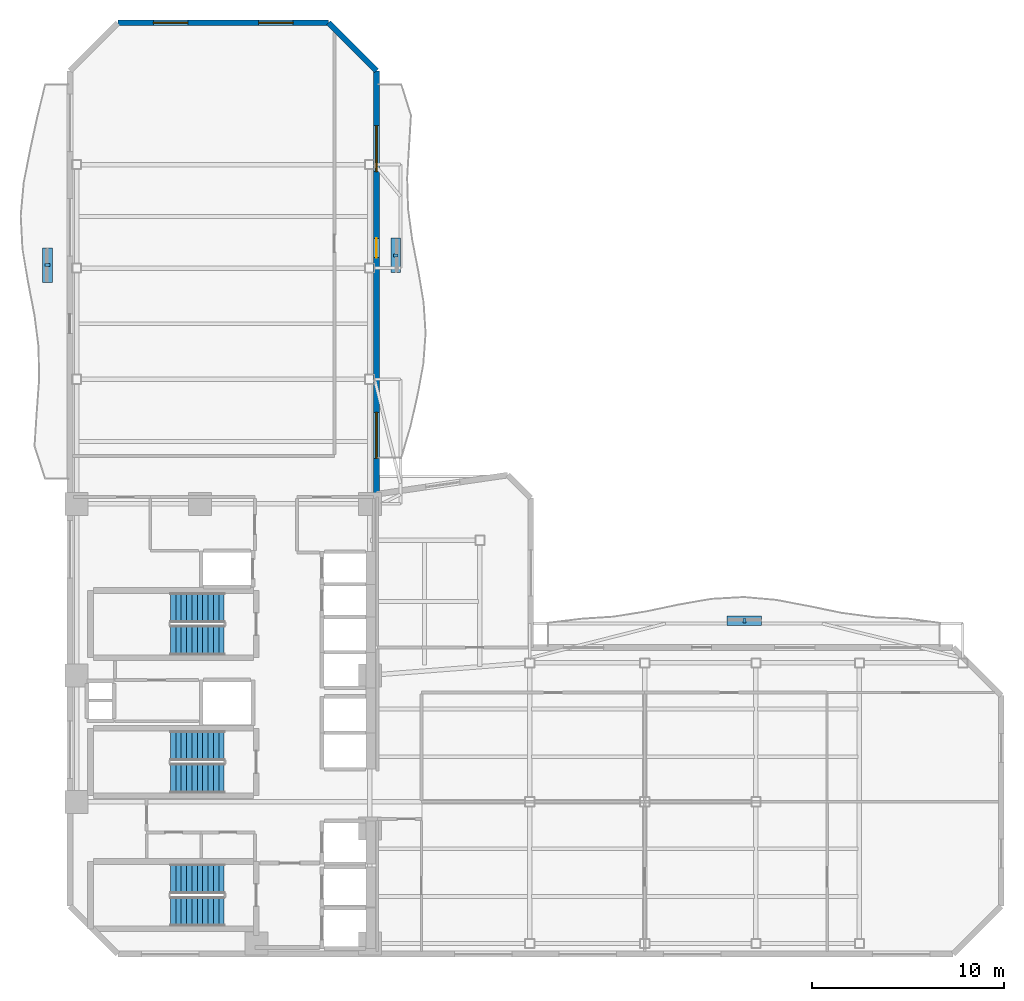
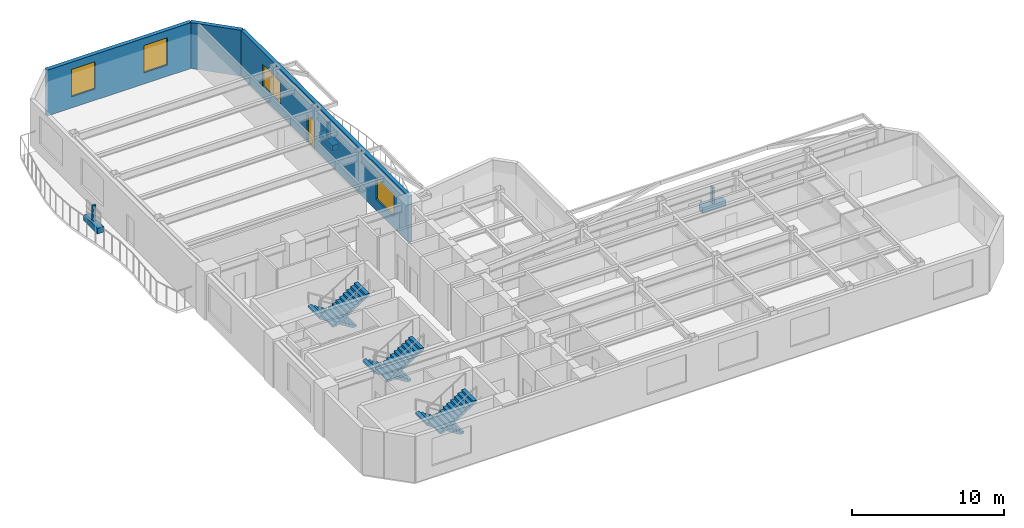
# One storey, part 6 of 9: 6 discrete accessories, 6 stair flights, 4 windows, 3 walls, 1 door, 5 openings, 3 elements without a shape of their own.
"""IFC4 building model written with IfcOpenShell, lengths in metres."""

from ifc_helpers import new_model, si_unit, direction, frame, frame_2d, origin, origin_2d, place, context, subcontext, project, spatial, polyline, rectangle, outline, extrude, material, layer, layer_set, type_object, element, fill, aggregate, save


model = new_model("IFC4")

# Units and contexts
model_context = context("Model", 3, precision=1e-05, world=origin(), true_north=direction((0.0, 1.0)))
body_context = subcontext(model_context, "Body", "Model", "MODEL_VIEW")
ifc_project = project(units=[si_unit("LENGTHUNIT", "METRE"), si_unit("AREAUNIT", "SQUARE_METRE"), si_unit("VOLUMEUNIT", "CUBIC_METRE"), si_unit("PLANEANGLEUNIT", "RADIAN"), si_unit("MASSUNIT", "GRAM", prefix="KILO")], contexts=[model_context])

# Site, building, storey
site_placement = place(None, origin())
site = spatial("IfcSite", under=ifc_project, at=site_placement, CompositionType="ELEMENT")
building_placement = place(site_placement, origin())
building = spatial("IfcBuilding", under=site, at=building_placement, Name="Mawjaban Terraces University", CompositionType="ELEMENT")
storey_placement = place(building_placement, frame((0.0, 0.0, 146.300048828125)))
storey = spatial("IfcBuildingStorey", under=building, at=storey_placement, Name="L35", CompositionType="ELEMENT", Elevation=146.300048828125)

# Wall, openings, door, windows
ifc_material_1 = material(Name="Insulated terracotta rainscreen on concrete backup C40/50", Category="masonry")
ifc_layer = layer(ifc_material_1, 0.300048828125)
ifc_layer_set = layer_set([ifc_layer], Name="Insulated terracotta rainscreen on concrete backup C40/50")
wall_type = type_object("IfcWallType", Name="ExtTerracottaWall_300", PredefinedType="SOLIDWALL", material=ifc_layer_set)
wall_1_placement = place(storey_placement, frame((38.0, 24.0, 0.0), z_axis=(0.0, 0.0, 1.0), x_axis=(0.0, 1.0, 0.0)))
wall_1 = element("IfcWall", 1, at=wall_1_placement, inside=storey, type_object=wall_type, Name="L35 Exterior Terracotta Wall 9", PredefinedType="SOLIDWALL", context=body_context, shape_type="SweptSolid", body=[
    extrude(rectangle(XDim=22.10009765625, YDim=0.300048828125, at=frame_2d((11.050048828125, 0.0))), origin(), (0.0, 0.0, 1.0), 3.68994140625),
])
opening_1_placement = place(wall_1_placement, frame((12.35009765625, 0.0, 0.0)))
opening_1 = element("IfcOpeningElement", 2, at=opening_1_placement, cuts=wall_1, Name="Opening BD-100", PredefinedType="OPENING", context=body_context, shape_type="SweptSolid", body=[
    extrude(rectangle(XDim=1.0, YDim=2.199951171875, at=frame_2d((0.5, 1.10009765625))), frame((0.0, 0.159912109375, 0.0), z_axis=(0.0, -1.0, 0.0), x_axis=(1.0, 0.0, 0.0)), (0.0, 0.0, 1.0), 0.320068359375),
])
opening_2_placement = place(wall_1_placement, frame((1.866943359375, 0.0, 0.89990234375)))
opening_2 = element("IfcOpeningElement", 3, at=opening_2_placement, cuts=wall_1, Name="Opening W-08", PredefinedType="OPENING", context=body_context, shape_type="SweptSolid", body=[
    extrude(rectangle(XDim=2.39990234375, YDim=1.800048828125, at=frame_2d((1.199951171875, 0.89990234375))), frame((0.0, 0.159912109375, 0.0), z_axis=(0.0, -1.0, 0.0), x_axis=(1.0, 0.0, 0.0)), (0.0, 0.0, 1.0), 0.320068359375),
])
opening_3_placement = place(wall_1_placement, frame((16.8330078125, 0.0, 0.89990234375)))
opening_3 = element("IfcOpeningElement", 4, at=opening_3_placement, cuts=wall_1, Name="Opening W-08", PredefinedType="OPENING", context=body_context, shape_type="SweptSolid", body=[
    extrude(rectangle(XDim=2.39990234375, YDim=1.800048828125, at=frame_2d((1.199951171875, 0.89990234375))), frame((0.0, 0.159912109375, 0.0), z_axis=(0.0, -1.0, 0.0), x_axis=(1.0, 0.0, 0.0)), (0.0, 0.0, 1.0), 0.320068359375),
])
ifc_material_2 = material(Name="Thermally broken anodised aluminium and laminated safety glass", Category="aluminium")
door_type = type_object("IfcDoorType", Name="BalconyGlazedDoor_1000x2200", OperationType="NOTDEFINED", PredefinedType="DOOR", material=ifc_material_2)
door_placement = place(opening_1_placement, origin())
door = element("IfcDoor", 5, at=door_placement, inside=storey, type_object=door_type, Name="L35 Balcony Access Door inner_east", OperationType="SINGLE_SWING_RIGHT", OverallHeight=2.199951171875, OverallWidth=1.0, PredefinedType="DOOR", context=body_context, shape_type="SweptSolid", body=[
    extrude(rectangle(XDim=1.0, YDim=2.199951171875, at=frame_2d((0.5, 1.10009765625))), frame((0.0, 0.02490234375, 0.0), z_axis=(0.0, -1.0, 0.0), x_axis=(1.0, 0.0, 0.0)), (0.0, 0.0, 1.0), 0.050048828125),
])
fill(opening_1, door)
ifc_material_3 = material(Name="Low-E solar-control double glazing in thermally broken aluminium frame", Category="aluminium")
window_type_1 = type_object("IfcWindowType", Name="Win_2400x1800", PartitioningType="SINGLE_PANEL", PredefinedType="WINDOW", material=ifc_material_3)
window_1_placement = place(opening_2_placement, origin())
window_1 = element("IfcWindow", 6, at=window_1_placement, inside=storey, type_object=window_type_1, Name="L35 Facade Window 9.1", OverallHeight=1.800048828125, OverallWidth=2.39990234375, PartitioningType="SINGLE_PANEL", PredefinedType="WINDOW", context=body_context, shape_type="SweptSolid", body=[
    extrude(rectangle(XDim=2.39990234375, YDim=1.800048828125, at=frame_2d((1.199951171875, 0.89990234375))), frame((0.0, 0.030029296875, 0.0), z_axis=(0.0, -1.0, 0.0), x_axis=(1.0, 0.0, 0.0)), (0.0, 0.0, 1.0), 0.06005859375),
])
fill(opening_2, window_1)
window_2_placement = place(opening_3_placement, origin())
window_2 = element("IfcWindow", 7, at=window_2_placement, inside=storey, type_object=window_type_1, Name="L35 Facade Window 9.3", OverallHeight=1.800048828125, OverallWidth=2.39990234375, PartitioningType="SINGLE_PANEL", PredefinedType="WINDOW", context=body_context, shape_type="SweptSolid", body=[
    extrude(rectangle(XDim=2.39990234375, YDim=1.800048828125, at=frame_2d((1.199951171875, 0.89990234375))), frame((0.0, 0.030029296875, 0.0), z_axis=(0.0, -1.0, 0.0), x_axis=(1.0, 0.0, 0.0)), (0.0, 0.0, 1.0), 0.06005859375),
])
fill(opening_3, window_2)

# Wall
wall_2_placement = place(storey_placement, frame((38.0, 46.10009765625, 0.0), z_axis=(0.0, 0.0, 1.0), x_axis=(-0.707106781187, 0.707106781187, 0.0)))
element("IfcWall", 8, at=wall_2_placement, inside=storey, type_object=wall_type, Name="L35 Exterior Terracotta Wall 10", PredefinedType="SOLIDWALL", context=body_context, shape_type="SweptSolid", body=[
    extrude(rectangle(XDim=3.53564453125, YDim=0.300048828125, at=frame_2d((1.767822265625, 0.0))), origin(), (0.0, 0.0, 1.0), 3.68994140625),
])

# Wall, openings, windows
wall_3_placement = place(storey_placement, frame((35.5, 48.60009765625, 0.0), z_axis=(0.0, 0.0, 1.0), x_axis=(-1.0, 0.0, 0.0)))
wall_3 = element("IfcWall", 9, at=wall_3_placement, inside=storey, type_object=wall_type, Name="L35 Exterior Terracotta Wall 11", PredefinedType="SOLIDWALL", context=body_context, shape_type="SweptSolid", body=[
    extrude(rectangle(XDim=11.0, YDim=0.300048828125, at=frame_2d((5.5, 0.0))), origin(), (0.0, 0.0, 1.0), 3.68994140625),
])
opening_4_placement = place(wall_3_placement, frame((1.85009765625, 0.0, 0.89990234375)))
opening_4 = element("IfcOpeningElement", 10, at=opening_4_placement, cuts=wall_3, Name="Opening W-10", PredefinedType="OPENING", context=body_context, shape_type="SweptSolid", body=[
    extrude(rectangle(XDim=1.800048828125, YDim=2.199951171875, at=frame_2d((0.89990234375, 1.10009765625))), frame((0.0, 0.159912109375, 0.0), z_axis=(0.0, -1.0, 0.0), x_axis=(1.0, 0.0, 0.0)), (0.0, 0.0, 1.0), 0.320068359375),
])
opening_5_placement = place(wall_3_placement, frame((7.35009765625, 0.0, 0.89990234375)))
opening_5 = element("IfcOpeningElement", 11, at=opening_5_placement, cuts=wall_3, Name="Opening W-10", PredefinedType="OPENING", context=body_context, shape_type="SweptSolid", body=[
    extrude(rectangle(XDim=1.800048828125, YDim=2.199951171875, at=frame_2d((0.89990234375, 1.10009765625))), frame((0.0, 0.159912109375, 0.0), z_axis=(0.0, -1.0, 0.0), x_axis=(1.0, 0.0, 0.0)), (0.0, 0.0, 1.0), 0.320068359375),
])
window_type_2 = type_object("IfcWindowType", Name="Win_1800x2200", PartitioningType="SINGLE_PANEL", PredefinedType="WINDOW", material=ifc_material_3)
window_3_placement = place(opening_4_placement, origin())
window_3 = element("IfcWindow", 12, at=window_3_placement, inside=storey, type_object=window_type_2, Name="L35 Facade Window 11.1", OverallHeight=2.199951171875, OverallWidth=1.800048828125, PartitioningType="SINGLE_PANEL", PredefinedType="WINDOW", context=body_context, shape_type="SweptSolid", body=[
    extrude(rectangle(XDim=1.800048828125, YDim=2.199951171875, at=frame_2d((0.89990234375, 1.10009765625))), frame((0.0, 0.030029296875, 0.0), z_axis=(0.0, -1.0, 0.0), x_axis=(1.0, 0.0, 0.0)), (0.0, 0.0, 1.0), 0.06005859375),
])
fill(opening_4, window_3)
window_4_placement = place(opening_5_placement, origin())
window_4 = element("IfcWindow", 13, at=window_4_placement, inside=storey, type_object=window_type_2, Name="L35 Facade Window 11.2", OverallHeight=2.199951171875, OverallWidth=1.800048828125, PartitioningType="SINGLE_PANEL", PredefinedType="WINDOW", context=body_context, shape_type="SweptSolid", body=[
    extrude(rectangle(XDim=1.800048828125, YDim=2.199951171875, at=frame_2d((0.89990234375, 1.10009765625))), frame((0.0, 0.030029296875, 0.0), z_axis=(0.0, -1.0, 0.0), x_axis=(1.0, 0.0, 0.0)), (0.0, 0.0, 1.0), 0.06005859375),
])
fill(opening_5, window_4)

# Stair, stair flights
ifc_material_4 = material(Name="Concrete C40/50", Category="concrete")
stair_type = type_object("IfcStairType", Name="Stair_Core1550_H39", PredefinedType="HALF_TURN_STAIR", material=ifc_material_4)
stair_1_placement = place(storey_placement, origin())
stair_1 = element("IfcStair", 14, at=stair_1_placement, inside=storey, type_object=stair_type, Name="L35 Core Exit Stair 1", PredefinedType="HALF_TURN_STAIR")
stair_flight_type = type_object("IfcStairFlightType", Name="Flight_Core1550_H39", PredefinedType="STRAIGHT", material=ifc_material_4)
stair_flight_1_placement = place(storey_placement, frame((30.050048828125, 3.925048828125, 0.0), z_axis=(0.0, 0.0, 1.0), x_axis=(-1.0, 0.0, 0.0)))
stair_flight_1 = element("IfcStairFlight", 15, at=stair_flight_1_placement, type_object=stair_flight_type, Name="ST-1 flight 1", NumberOfRisers=11, NumberOfTreads=10, PredefinedType="STRAIGHT", RiserHeight=0.177272727, TreadLength=0.28, context=body_context, shape_type="SweptSolid", body=[
    extrude(outline(polyline([(0.0, 0.0), (0.0, 0.17724609375), (0.280029296875, 0.17724609375), (0.280029296875, 0.3544921875), (0.56005859375, 0.3544921875), (0.56005859375, 0.53173828125), (0.840087890625, 0.53173828125), (0.840087890625, 0.708984375), (1.1201171875, 0.708984375), (1.1201171875, 0.886474609375), (1.39990234375, 0.886474609375), (1.39990234375, 1.063720703125), (1.679931640625, 1.063720703125), (1.679931640625, 1.240966796875), (1.9599609375, 1.240966796875), (1.9599609375, 1.418212890625), (2.239990234375, 1.418212890625), (2.239990234375, 1.595458984375), (2.52001953125, 1.595458984375), (2.52001953125, 1.772705078125), (2.800048828125, 1.772705078125), (2.800048828125, 1.949951171875), (2.800048828125, 1.59521484375), (0.2802734375, 0.0), (0.0, 0.0)])), frame((0.0, 0.77490234375, 0.0), z_axis=(0.0, -1.0, 0.0), x_axis=(1.0, 0.0, 0.0)), (0.0, 0.0, 1.0), 1.550048828125),
])
stair_flight_2_placement = place(storey_placement, frame((27.25, 2.22509765625, 1.949951171875), z_axis=(0.0, 0.0, 1.0), x_axis=(1.0, 0.0, 0.0)))
stair_flight_2 = element("IfcStairFlight", 16, at=stair_flight_2_placement, type_object=stair_flight_type, Name="ST-1 flight 2", NumberOfRisers=11, NumberOfTreads=10, PredefinedType="STRAIGHT", RiserHeight=0.177272727, TreadLength=0.28, context=body_context, shape_type="SweptSolid", body=[
    extrude(outline(polyline([(0.0, 0.0), (0.0, 0.17724609375), (0.280029296875, 0.17724609375), (0.280029296875, 0.3544921875), (0.56005859375, 0.3544921875), (0.56005859375, 0.53173828125), (0.840087890625, 0.53173828125), (0.840087890625, 0.708984375), (1.1201171875, 0.708984375), (1.1201171875, 0.886474609375), (1.39990234375, 0.886474609375), (1.39990234375, 1.063720703125), (1.679931640625, 1.063720703125), (1.679931640625, 1.240966796875), (1.9599609375, 1.240966796875), (1.9599609375, 1.418212890625), (2.239990234375, 1.418212890625), (2.239990234375, 1.595458984375), (2.52001953125, 1.595458984375), (2.52001953125, 1.772705078125), (2.800048828125, 1.772705078125), (2.800048828125, 1.949951171875), (2.800048828125, 1.59521484375), (0.2802734375, 0.0), (0.0, 0.0)])), frame((0.0, 0.77490234375, 0.0), z_axis=(0.0, -1.0, 0.0), x_axis=(1.0, 0.0, 0.0)), (0.0, 0.0, 1.0), 1.550048828125),
])
aggregate(stair_1, [stair_flight_1, stair_flight_2])

stair_2_placement = place(storey_placement, origin())
stair_2 = element("IfcStair", 17, at=stair_2_placement, inside=storey, type_object=stair_type, Name="L35 Core Exit Stair 2", PredefinedType="HALF_TURN_STAIR")
stair_flight_3_placement = place(storey_placement, frame((30.050048828125, 18.074951171875, 0.0), z_axis=(0.0, 0.0, 1.0), x_axis=(-1.0, 0.0, 0.0)))
stair_flight_3 = element("IfcStairFlight", 18, at=stair_flight_3_placement, type_object=stair_flight_type, Name="ST-2 flight 1", NumberOfRisers=11, NumberOfTreads=10, PredefinedType="STRAIGHT", RiserHeight=0.177272727, TreadLength=0.28, context=body_context, shape_type="SweptSolid", body=[
    extrude(outline(polyline([(0.0, 0.0), (0.0, 0.17724609375), (0.280029296875, 0.17724609375), (0.280029296875, 0.3544921875), (0.56005859375, 0.3544921875), (0.56005859375, 0.53173828125), (0.840087890625, 0.53173828125), (0.840087890625, 0.708984375), (1.1201171875, 0.708984375), (1.1201171875, 0.886474609375), (1.39990234375, 0.886474609375), (1.39990234375, 1.063720703125), (1.679931640625, 1.063720703125), (1.679931640625, 1.240966796875), (1.9599609375, 1.240966796875), (1.9599609375, 1.418212890625), (2.239990234375, 1.418212890625), (2.239990234375, 1.595458984375), (2.52001953125, 1.595458984375), (2.52001953125, 1.772705078125), (2.800048828125, 1.772705078125), (2.800048828125, 1.949951171875), (2.800048828125, 1.59521484375), (0.2802734375, 0.0), (0.0, 0.0)])), frame((0.0, 0.77490234375, 0.0), z_axis=(0.0, -1.0, 0.0), x_axis=(1.0, 0.0, 0.0)), (0.0, 0.0, 1.0), 1.550048828125),
])
stair_flight_4_placement = place(storey_placement, frame((27.25, 16.375, 1.949951171875), z_axis=(0.0, 0.0, 1.0), x_axis=(1.0, 0.0, 0.0)))
stair_flight_4 = element("IfcStairFlight", 19, at=stair_flight_4_placement, type_object=stair_flight_type, Name="ST-2 flight 2", NumberOfRisers=11, NumberOfTreads=10, PredefinedType="STRAIGHT", RiserHeight=0.177272727, TreadLength=0.28, context=body_context, shape_type="SweptSolid", body=[
    extrude(outline(polyline([(0.0, 0.0), (0.0, 0.17724609375), (0.280029296875, 0.17724609375), (0.280029296875, 0.3544921875), (0.56005859375, 0.3544921875), (0.56005859375, 0.53173828125), (0.840087890625, 0.53173828125), (0.840087890625, 0.708984375), (1.1201171875, 0.708984375), (1.1201171875, 0.886474609375), (1.39990234375, 0.886474609375), (1.39990234375, 1.063720703125), (1.679931640625, 1.063720703125), (1.679931640625, 1.240966796875), (1.9599609375, 1.240966796875), (1.9599609375, 1.418212890625), (2.239990234375, 1.418212890625), (2.239990234375, 1.595458984375), (2.52001953125, 1.595458984375), (2.52001953125, 1.772705078125), (2.800048828125, 1.772705078125), (2.800048828125, 1.949951171875), (2.800048828125, 1.59521484375), (0.2802734375, 0.0), (0.0, 0.0)])), frame((0.0, 0.77490234375, 0.0), z_axis=(0.0, -1.0, 0.0), x_axis=(1.0, 0.0, 0.0)), (0.0, 0.0, 1.0), 1.550048828125),
])
aggregate(stair_2, [stair_flight_3, stair_flight_4])

stair_3_placement = place(storey_placement, origin())
stair_3 = element("IfcStair", 20, at=stair_3_placement, inside=storey, type_object=stair_type, Name="L35 Core Exit Stair 3", PredefinedType="HALF_TURN_STAIR")
stair_flight_5_placement = place(storey_placement, frame((30.050048828125, 10.875, 0.0), z_axis=(0.0, 0.0, 1.0), x_axis=(-1.0, 0.0, 0.0)))
stair_flight_5 = element("IfcStairFlight", 21, at=stair_flight_5_placement, type_object=stair_flight_type, Name="ST-3 flight 1", NumberOfRisers=11, NumberOfTreads=10, PredefinedType="STRAIGHT", RiserHeight=0.177272727, TreadLength=0.28, context=body_context, shape_type="SweptSolid", body=[
    extrude(outline(polyline([(0.0, 0.0), (0.0, 0.17724609375), (0.280029296875, 0.17724609375), (0.280029296875, 0.3544921875), (0.56005859375, 0.3544921875), (0.56005859375, 0.53173828125), (0.840087890625, 0.53173828125), (0.840087890625, 0.708984375), (1.1201171875, 0.708984375), (1.1201171875, 0.886474609375), (1.39990234375, 0.886474609375), (1.39990234375, 1.063720703125), (1.679931640625, 1.063720703125), (1.679931640625, 1.240966796875), (1.9599609375, 1.240966796875), (1.9599609375, 1.418212890625), (2.239990234375, 1.418212890625), (2.239990234375, 1.595458984375), (2.52001953125, 1.595458984375), (2.52001953125, 1.772705078125), (2.800048828125, 1.772705078125), (2.800048828125, 1.949951171875), (2.800048828125, 1.59521484375), (0.2802734375, 0.0), (0.0, 0.0)])), frame((0.0, 0.77490234375, 0.0), z_axis=(0.0, -1.0, 0.0), x_axis=(1.0, 0.0, 0.0)), (0.0, 0.0, 1.0), 1.550048828125),
])
stair_flight_6_placement = place(storey_placement, frame((27.25, 9.175048828125, 1.949951171875), z_axis=(0.0, 0.0, 1.0), x_axis=(1.0, 0.0, 0.0)))
stair_flight_6 = element("IfcStairFlight", 22, at=stair_flight_6_placement, type_object=stair_flight_type, Name="ST-3 flight 2", NumberOfRisers=11, NumberOfTreads=10, PredefinedType="STRAIGHT", RiserHeight=0.177272727, TreadLength=0.28, context=body_context, shape_type="SweptSolid", body=[
    extrude(outline(polyline([(0.0, 0.0), (0.0, 0.17724609375), (0.280029296875, 0.17724609375), (0.280029296875, 0.3544921875), (0.56005859375, 0.3544921875), (0.56005859375, 0.53173828125), (0.840087890625, 0.53173828125), (0.840087890625, 0.708984375), (1.1201171875, 0.708984375), (1.1201171875, 0.886474609375), (1.39990234375, 0.886474609375), (1.39990234375, 1.063720703125), (1.679931640625, 1.063720703125), (1.679931640625, 1.240966796875), (1.9599609375, 1.240966796875), (1.9599609375, 1.418212890625), (2.239990234375, 1.418212890625), (2.239990234375, 1.595458984375), (2.52001953125, 1.595458984375), (2.52001953125, 1.772705078125), (2.800048828125, 1.772705078125), (2.800048828125, 1.949951171875), (2.800048828125, 1.59521484375), (0.2802734375, 0.0), (0.0, 0.0)])), frame((0.0, 0.77490234375, 0.0), z_axis=(0.0, -1.0, 0.0), x_axis=(1.0, 0.0, 0.0)), (0.0, 0.0, 1.0), 1.550048828125),
])
aggregate(stair_3, [stair_flight_5, stair_flight_6])

# Discrete accessories
ifc_material_5 = material(Name="Stainless steel 316L", Category="steel")
discrete_accessory_type_1 = type_object("IfcDiscreteAccessoryType", Name="FacadeScreenBracket_Steel", PredefinedType="BRACKET", material=ifc_material_5)
for number, where, z_axis, x_axis, name in (
    (23, (20.83203125, 35.958984375, 0.419921875), (0.0, 0.0, 1.0), (0.0, 1.0, 0.0), "L35 Balcony Screen Support Bracket west"),
    (24, (57.196044921875, 17.406005859375, 0.419921875), (0.0, 0.0, 1.0), (1.0, 0.0, 0.0), "L35 Balcony Screen Support Bracket inner_north"),
    (25, (39.011962890625, 36.4619140625, 0.419921875), (0.0, 0.0, 1.0), (0.0, 1.0, 0.0), "L35 Balcony Screen Support Bracket inner_east"),
):
    element("IfcDiscreteAccessory", number, at=place(storey_placement, frame(where, z_axis=z_axis, x_axis=x_axis)), inside=storey, type_object=discrete_accessory_type_1, Name=name, PredefinedType="BRACKET", context=body_context, shape_type="SweptSolid", body=[
        extrude(rectangle(XDim=0.159912109375, YDim=0.239990234375, at=origin_2d()), origin(), (0.0, 0.0, 1.0), 1.300048828125),
    ])
ifc_material_6 = material(Name="Precast architectural terracotta planter with engineered planting soil", Category="masonry")
discrete_accessory_type_2 = type_object("IfcDiscreteAccessoryType", Name="IrrigatedPlanterTrough_450", PredefinedType="USERDEFINED", material=ifc_material_6)
for number, where, z_axis, x_axis, name in (
    (26, (20.83203125, 35.958984375, -0.0048828125), (0.0, 0.0, 1.0), (0.0, 1.0, 0.0), "L35 Balcony Irrigated Planter west"),
    (27, (57.196044921875, 17.406005859375, -0.0048828125), (0.0, 0.0, 1.0), (1.0, 0.0, 0.0), "L35 Balcony Irrigated Planter inner_north"),
    (28, (39.011962890625, 36.4619140625, -0.0048828125), (0.0, 0.0, 1.0), (0.0, 1.0, 0.0), "L35 Balcony Irrigated Planter inner_east"),
):
    element("IfcDiscreteAccessory", number, at=place(storey_placement, frame(where, z_axis=z_axis, x_axis=x_axis)), inside=storey, type_object=discrete_accessory_type_2, Name=name, ObjectType="PLANTER", PredefinedType="USERDEFINED", context=body_context, shape_type="SweptSolid", body=[
        extrude(rectangle(XDim=1.800048828125, YDim=0.5, at=origin_2d()), origin(), (0.0, 0.0, 1.0), 0.449951171875),
    ])

save(model, "model.ifc")
